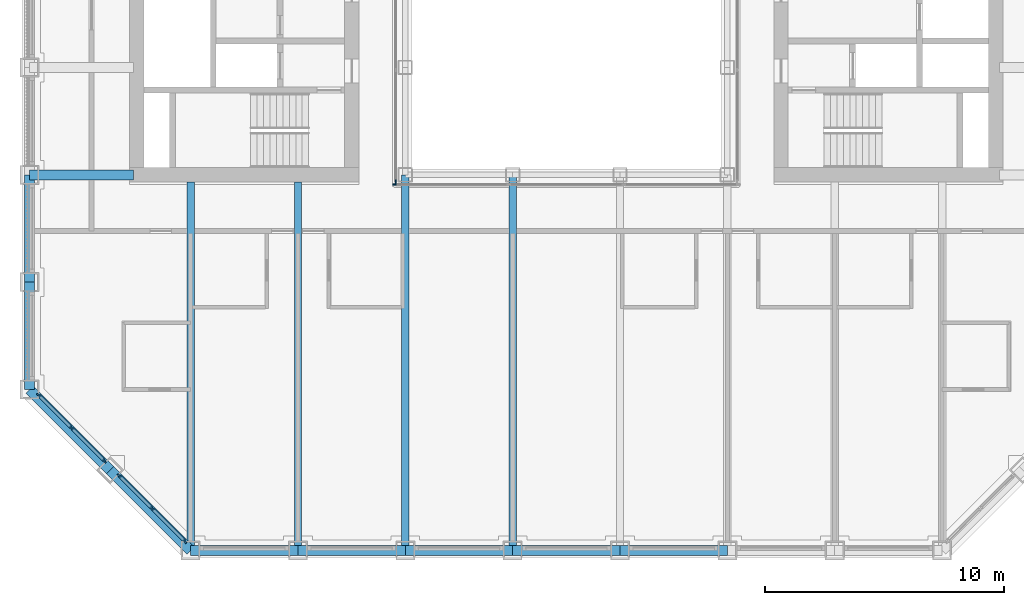
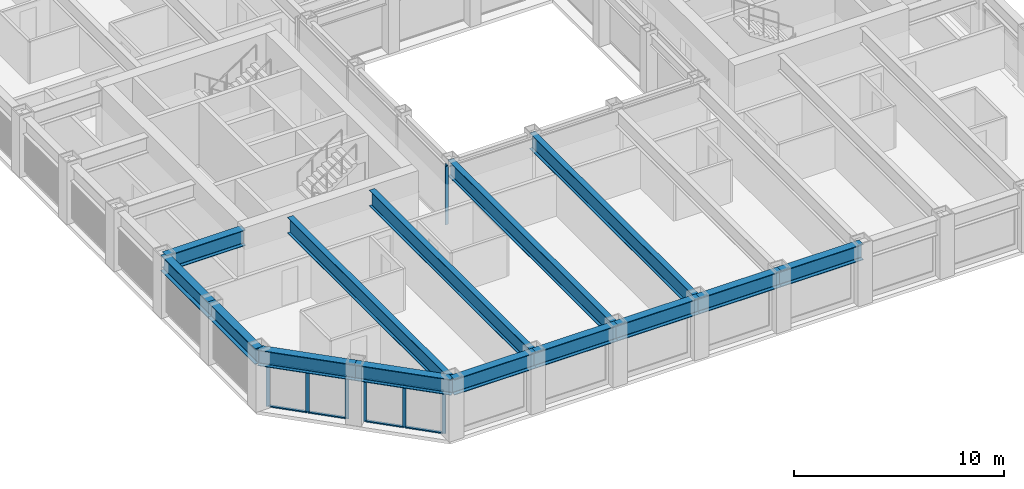
# One storey, part 2 of 17: 16 members, 14 beams, 4 elements without a shape of their own.
"""IFC4 building model written with IfcOpenShell, lengths in metres."""

import ifcopenshell
import ifcopenshell.guid

model = None  # the IFC model being written
_history = None  # IfcOwnerHistory: only IFC2X3 demands one
_inside = {}  # id of a spatial element -> (the spatial element, [elements in it])
_under = {}  # id of a project, library or spatial element -> (it, [spatial elements below it])
_declared = {}  # id of a project -> (the project, [libraries it declares])
_typed = {}  # id of a type object -> (the type object, [elements of that type])
_made_of = {}  # id of a material, layer set ... -> (it, [elements and type objects made of it])


def new_model(schema):
    """Start an empty IFC model of exactly this schema.

    Asked for "IFC4X3", IfcOpenShell would pick the latest addendum, in which some entities
    have other attributes; the version numbers below select the first issue.
    IFC2X3 requires an IfcOwnerHistory on every rooted entity: one is made here for all.
    """
    global model, _history
    if schema == "IFC4X3":
        model = ifcopenshell.file(schema_version=(4, 3, 0, 0))
    else:
        model = ifcopenshell.file(schema=schema)
    _inside.clear()
    _under.clear()
    _declared.clear()
    _typed.clear()
    _made_of.clear()
    _history = None
    if model.schema == "IFC2X3":
        org = make("IfcOrganization", Name="unknown")
        user = make(
            "IfcPersonAndOrganization",
            ThePerson=make("IfcPerson", FamilyName="unknown"),
            TheOrganization=org,
        )
        app = make(
            "IfcApplication",
            ApplicationDeveloper=org,
            Version="unknown",
            ApplicationFullName="unknown",
            ApplicationIdentifier="unknown",
        )
        _history = make(
            "IfcOwnerHistory",
            OwningUser=user,
            OwningApplication=app,
            ChangeAction="ADDED",
            CreationDate=0,
        )
    return model


def make(cls, **values):
    """One entity of the class cls with the attributes given. An attribute that is None is left unset."""
    return model.create_entity(
        cls, **{name: value for name, value in values.items() if value is not None}
    )


def rooted(cls, **values):
    """An entity with a GlobalId (a new one), such as an element, a storey or a relation."""
    return make(cls, GlobalId=ifcopenshell.guid.new(), OwnerHistory=_history, **values)


def si_unit(unit_type, name, prefix=None):
    """IfcSIUnit, for example si_unit("LENGTHUNIT", "METRE", prefix="MILLI")."""
    return make("IfcSIUnit", UnitType=unit_type, Prefix=prefix, Name=name)


def assignment(units):
    """IfcUnitAssignment: the units of a project."""
    return None if units is None else make("IfcUnitAssignment", Units=units)


def point(xyz):
    """IfcCartesianPoint."""
    return None if xyz is None else make("IfcCartesianPoint", Coordinates=xyz)


def direction(xyz):
    """IfcDirection."""
    return None if xyz is None else make("IfcDirection", DirectionRatios=xyz)


def frame(location, z_axis=None, x_axis=None):
    """IfcAxis2Placement3D, a coordinate frame: its origin and axes. An axis left out is left unset."""
    return make(
        "IfcAxis2Placement3D",
        Location=point(location),
        Axis=direction(z_axis),
        RefDirection=direction(x_axis),
    )


def frame_2d(location, x_axis=None):
    """IfcAxis2Placement2D, a coordinate frame in the plane: its origin and x axis."""
    return make(
        "IfcAxis2Placement2D", Location=point(location), RefDirection=direction(x_axis)
    )


def origin():
    """The frame at (0, 0, 0) with its axes left unset."""
    return frame((0.0, 0.0, 0.0))


def origin_2d():
    """The frame at (0, 0) in the plane with its x axis left unset."""
    return frame_2d((0.0, 0.0))


def place(relative_to, where):
    """IfcLocalPlacement: puts the frame where relative to a parent placement (None: the world)."""
    return make(
        "IfcLocalPlacement", PlacementRelTo=relative_to, RelativePlacement=where
    )


def context(
    kind, dimensions, precision=None, world=None, true_north=None, identifier=None
):
    """IfcGeometricRepresentationContext, for example the 3D "Model" context."""
    return make(
        "IfcGeometricRepresentationContext",
        ContextIdentifier=identifier,
        ContextType=kind,
        CoordinateSpaceDimension=dimensions,
        Precision=precision,
        WorldCoordinateSystem=world,
        TrueNorth=true_north,
    )


def subcontext(parent, identifier, kind, view, scale=None):
    """IfcGeometricRepresentationSubContext, for example "Body" below "Model"."""
    return make(
        "IfcGeometricRepresentationSubContext",
        ContextIdentifier=identifier,
        ContextType=kind,
        ParentContext=parent,
        TargetScale=scale,
        TargetView=view,
    )


def project(units=None, contexts=None):
    """IfcProject with its units and contexts."""
    return rooted(
        "IfcProject",
        Name="project",
        RepresentationContexts=contexts,
        UnitsInContext=assignment(units),
    )


def spatial(cls, under=None, at=None, **own):
    """A site, building, storey or space (cls), placed at a placement, below another one or the project."""
    s = rooted(cls, ObjectPlacement=at, **own)
    if under is not None:
        _under.setdefault(under.id(), (under, []))[1].append(s)
    return s


def profile(cls, at=None, kind="AREA", **sizes):
    """A parametric profile (cls). Its sizes go by their IFC names, for example OverallWidth=200.0."""
    return make(cls, ProfileType=kind, Position=at, **sizes)


def rectangle(**sizes):
    """IfcRectangleProfileDef."""
    return profile("IfcRectangleProfileDef", **sizes)


def i_section(**sizes):
    """IfcIShapeProfileDef."""
    return profile("IfcIShapeProfileDef", **sizes)


def extrude(swept, where, along, depth):
    """IfcExtrudedAreaSolid: the profile swept, set in the frame where, extruded along a direction by depth."""
    return make(
        "IfcExtrudedAreaSolid",
        SweptArea=swept,
        Position=where,
        ExtrudedDirection=direction(along),
        Depth=depth,
    )


def shape(context_of_items, identifier, shape_type, items):
    """IfcShapeRepresentation: the items that make up one representation, for example the "Body"."""
    return make(
        "IfcShapeRepresentation",
        ContextOfItems=context_of_items,
        RepresentationIdentifier=identifier,
        RepresentationType=shape_type,
        Items=items,
    )


def material(Name=None, Category=None):
    """IfcMaterial."""
    return make("IfcMaterial", Name=Name, Category=Category)


def material_profile(
    of_material, cross_section, Name=None, Category=None, Priority=None
):
    """IfcMaterialProfile: a cross section and its material."""
    return make(
        "IfcMaterialProfile",
        Name=Name,
        Material=of_material,
        Profile=cross_section,
        Priority=Priority,
        Category=Category,
    )


def profile_set(profiles, Name=None, composite=None):
    """IfcMaterialProfileSet."""
    return make(
        "IfcMaterialProfileSet",
        Name=Name,
        MaterialProfiles=profiles,
        CompositeProfile=composite,
    )


def made_of(thing, what):
    """Note that an element or type object is made of a material, layer set ...; save() writes the relation."""
    if what is not None:
        _made_of.setdefault(what.id(), (what, []))[1].append(thing)
    return thing


def type_object(cls, material=None, **own):
    """A type object (cls), such as IfcWallType, which elements share."""
    return made_of(rooted(cls, **own), material)


def element(
    cls,
    number,
    at=None,
    inside=None,
    cuts=None,
    type_object=None,
    material=None,
    context=None,
    identifier="Body",
    shape_type=None,
    held_by="IfcProductDefinitionShape",
    body=None,
    shapes=None,
    **own,
):
    """One element of the class cls, such as IfcWall. Its Tag is "e" and its number.

    at: its placement. inside: the storey or other place that contains it. cuts: it is an
    opening in that element (IfcRelVoidsElement). A single representation is given by context,
    identifier, shape_type and body (its items); several are given by shapes. held_by: the class
    of the entity that holds the representations. save() writes the other relations.
    """
    e = rooted(cls, Tag="e%d" % number, ObjectPlacement=at, **own)
    if body is not None:
        shapes = [shape(context, identifier, shape_type, body)]
    if shapes is not None:
        e.Representation = make(held_by, Representations=shapes)
    if inside is not None:
        _inside.setdefault(inside.id(), (inside, []))[1].append(e)
    if cuts is not None:
        rooted(
            "IfcRelVoidsElement", RelatingBuildingElement=cuts, RelatedOpeningElement=e
        )
    if type_object is not None:
        _typed.setdefault(type_object.id(), (type_object, []))[1].append(e)
    return made_of(e, material)


def aggregate(whole, parts):
    """IfcRelAggregates: a whole, such as a stair, and the parts it consists of."""
    return rooted("IfcRelAggregates", RelatingObject=whole, RelatedObjects=parts)


def save(model, path):
    """Write the relations noted so far, then the file.

    IfcRelAggregates (storeys below a building ...), IfcRelContainedInSpatialStructure (elements
    in a storey), IfcRelDefinesByType, IfcRelAssociatesMaterial and IfcRelDeclares: one each for
    every whole, place, type object, material and project.
    """
    for whole, parts in _under.values():
        aggregate(whole, parts)
    for where, things in _inside.values():
        rooted(
            "IfcRelContainedInSpatialStructure",
            RelatedElements=things,
            RelatingStructure=where,
        )
    for kind, things in _typed.values():
        rooted("IfcRelDefinesByType", RelatedObjects=things, RelatingType=kind)
    for what, things in _made_of.values():
        rooted("IfcRelAssociatesMaterial", RelatedObjects=things, RelatingMaterial=what)
    for by, libraries in _declared.values():
        rooted("IfcRelDeclares", RelatingContext=by, RelatedDefinitions=libraries)
    model.write(path)


model = new_model("IFC4")

# Units and contexts
model_context = context("Model", 3, precision=1e-05, world=origin(), true_north=direction((0.0, 1.0)))
body_context = subcontext(model_context, "Body", "Model", "MODEL_VIEW")
ifc_project = project(units=[si_unit("LENGTHUNIT", "METRE"), si_unit("AREAUNIT", "SQUARE_METRE"), si_unit("VOLUMEUNIT", "CUBIC_METRE"), si_unit("PLANEANGLEUNIT", "RADIAN"), si_unit("MASSUNIT", "GRAM", prefix="KILO")], contexts=[model_context])

# Site, building, storey
site_placement = place(None, origin())
site = spatial("IfcSite", under=ifc_project, at=site_placement, CompositionType="ELEMENT")
building_placement = place(site_placement, origin())
building = spatial("IfcBuilding", under=site, at=building_placement, Name="Msasa Ring Tower", CompositionType="ELEMENT")
storey_placement = place(building_placement, frame((0.0, 0.0, 136.39990234375)))
storey = spatial("IfcBuildingStorey", under=building, at=storey_placement, Name="L35", CompositionType="ELEMENT", Elevation=136.39990234375)

# Curtain wall, members
ifc_material_1 = material(Name="Aluminium curtain wall with clear glass", Category="aluminium")
curtain_wall_type_1 = type_object("IfcCurtainWallType", Name="CW-C CHAMFER CORNER CURTAIN WALL", PredefinedType="NOTDEFINED", material=ifc_material_1)
curtain_wall_1_placement = place(storey_placement, origin())
curtain_wall_1 = element("IfcCurtainWall", 1, at=curtain_wall_1_placement, inside=storey, type_object=curtain_wall_type_1, Name="Chamfer corner curtain wall SW L35", PredefinedType="NOTDEFINED")
ifc_material_2 = material(Name="Aluminium mullion", Category="aluminium")
ifc_material_profile_1 = material_profile(ifc_material_2, rectangle(XDim=0.06494140625, YDim=0.179931640625, at=origin_2d()), Name="AL 65x180")
ifc_profile_set_1 = profile_set([ifc_material_profile_1], Name="Aluminium mullion")
member_type_1 = type_object("IfcMemberType", Name="CW-C MULLION 65x180", PredefinedType="MULLION", material=ifc_profile_set_1)
member_1_placement = place(storey_placement, frame((-22.119873046875, -15.98876953125, 0.0), z_axis=(0.0, 0.0, 1.0), x_axis=(0.707106781187, 0.707106781187, 0.0)))
member_1 = element("IfcMember", 2, at=member_1_placement, type_object=member_type_1, Name="CW-C mullion 1", PredefinedType="MULLION", context=body_context, shape_type="SweptSolid", body=[
    extrude(rectangle(XDim=0.06494140625, YDim=0.179931640625, at=origin_2d()), origin(), (0.0, 0.0, 1.0), 2.47900390625),
])
member_2_placement = place(storey_placement, frame((-20.74169921875, -17.36669921875, 0.0), z_axis=(0.0, 0.0, 1.0), x_axis=(0.707106781187, 0.707106781187, 0.0)))
member_2 = element("IfcMember", 3, at=member_2_placement, type_object=member_type_1, Name="CW-C mullion 2", PredefinedType="MULLION", context=body_context, shape_type="SweptSolid", body=[
    extrude(rectangle(XDim=0.06494140625, YDim=0.179931640625, at=origin_2d()), origin(), (0.0, 0.0, 1.0), 2.47900390625),
])
member_3_placement = place(storey_placement, frame((-19.36376953125, -18.744873046875, 0.0), z_axis=(0.0, 0.0, 1.0), x_axis=(0.707106781187, 0.707106781187, 0.0)))
member_3 = element("IfcMember", 4, at=member_3_placement, type_object=member_type_1, Name="CW-C mullion 3", PredefinedType="MULLION", context=body_context, shape_type="SweptSolid", body=[
    extrude(rectangle(XDim=0.06494140625, YDim=0.179931640625, at=origin_2d()), origin(), (0.0, 0.0, 1.0), 2.47900390625),
])

curtain_wall_2_placement = place(storey_placement, origin())
curtain_wall_2 = element("IfcCurtainWall", 5, at=curtain_wall_2_placement, inside=storey, type_object=curtain_wall_type_1, Name="Chamfer corner curtain wall SW L35", PredefinedType="NOTDEFINED")
member_4_placement = place(storey_placement, frame((-18.744873046875, -19.36376953125, 0.0), z_axis=(0.0, 0.0, 1.0), x_axis=(0.707106781187, 0.707106781187, 0.0)))
member_4 = element("IfcMember", 6, at=member_4_placement, type_object=member_type_1, Name="CW-C mullion 1", PredefinedType="MULLION", context=body_context, shape_type="SweptSolid", body=[
    extrude(rectangle(XDim=0.06494140625, YDim=0.179931640625, at=origin_2d()), origin(), (0.0, 0.0, 1.0), 2.47900390625),
])
member_5_placement = place(storey_placement, frame((-17.36669921875, -20.74169921875, 0.0), z_axis=(0.0, 0.0, 1.0), x_axis=(0.707106781187, 0.707106781187, 0.0)))
member_5 = element("IfcMember", 7, at=member_5_placement, type_object=member_type_1, Name="CW-C mullion 2", PredefinedType="MULLION", context=body_context, shape_type="SweptSolid", body=[
    extrude(rectangle(XDim=0.06494140625, YDim=0.179931640625, at=origin_2d()), origin(), (0.0, 0.0, 1.0), 2.47900390625),
])
member_6_placement = place(storey_placement, frame((-15.98876953125, -22.119873046875, 0.0), z_axis=(0.0, 0.0, 1.0), x_axis=(0.707106781187, 0.707106781187, 0.0)))
member_6 = element("IfcMember", 8, at=member_6_placement, type_object=member_type_1, Name="CW-C mullion 3", PredefinedType="MULLION", context=body_context, shape_type="SweptSolid", body=[
    extrude(rectangle(XDim=0.06494140625, YDim=0.179931640625, at=origin_2d()), origin(), (0.0, 0.0, 1.0), 2.47900390625),
])

# Member
ifc_material_3 = material(Name="Aluminium transom", Category="aluminium")
ifc_material_profile_2 = material_profile(ifc_material_3, rectangle(XDim=0.139892578125, YDim=0.06494140625, at=origin_2d()), Name="AL 65x140")
ifc_profile_set_2 = profile_set([ifc_material_profile_2], Name="Aluminium transom")
member_type_2 = type_object("IfcMemberType", Name="CW-C TRANSOM 65x140", PredefinedType="USERDEFINED", material=ifc_profile_set_2)
member_7_placement = place(storey_placement, frame((-22.096923828125, -16.01171875, 0.03271484375), z_axis=(0.707106781187, -0.707106781187, 0.0), x_axis=(0.707106781187, 0.707106781187, 0.0)))
member_7 = element("IfcMember", 9, at=member_7_placement, type_object=member_type_2, Name="CW-C transom 1.1", ObjectType="TRANSOM", PredefinedType="USERDEFINED", context=body_context, shape_type="SweptSolid", body=[
    extrude(rectangle(XDim=0.139892578125, YDim=0.06494140625, at=origin_2d()), origin(), (0.0, 0.0, 1.0), 1.8837890625),
])

member_8_placement = place(storey_placement, frame((-22.096923828125, -16.01171875, 2.446533203125), z_axis=(0.707106781187, -0.707106781187, 0.0), x_axis=(0.707106781187, 0.707106781187, 0.0)))
member_8 = element("IfcMember", 10, at=member_8_placement, type_object=member_type_2, Name="CW-C transom 1.2", ObjectType="TRANSOM", PredefinedType="USERDEFINED", context=body_context, shape_type="SweptSolid", body=[
    extrude(rectangle(XDim=0.139892578125, YDim=0.06494140625, at=origin_2d()), origin(), (0.0, 0.0, 1.0), 1.8837890625),
])

member_9_placement = place(storey_placement, frame((-20.71875, -17.389892578125, 0.03271484375), z_axis=(0.707106781187, -0.707106781187, 0.0), x_axis=(0.707106781187, 0.707106781187, 0.0)))
member_9 = element("IfcMember", 11, at=member_9_placement, type_object=member_type_2, Name="CW-C transom 2.1", ObjectType="TRANSOM", PredefinedType="USERDEFINED", context=body_context, shape_type="SweptSolid", body=[
    extrude(rectangle(XDim=0.139892578125, YDim=0.06494140625, at=origin_2d()), origin(), (0.0, 0.0, 1.0), 1.8837890625),
])

member_10_placement = place(storey_placement, frame((-20.71875, -17.389892578125, 2.446533203125), z_axis=(0.707106781187, -0.707106781187, 0.0), x_axis=(0.707106781187, 0.707106781187, 0.0)))
member_10 = element("IfcMember", 12, at=member_10_placement, type_object=member_type_2, Name="CW-C transom 2.2", ObjectType="TRANSOM", PredefinedType="USERDEFINED", context=body_context, shape_type="SweptSolid", body=[
    extrude(rectangle(XDim=0.139892578125, YDim=0.06494140625, at=origin_2d()), origin(), (0.0, 0.0, 1.0), 1.8837890625),
])

aggregate(curtain_wall_1, [member_1, member_2, member_3, member_7, member_8, member_9, member_10])

member_11_placement = place(storey_placement, frame((-18.721923828125, -19.38671875, 0.03271484375), z_axis=(0.707106781187, -0.707106781187, 0.0), x_axis=(0.707106781187, 0.707106781187, 0.0)))
member_11 = element("IfcMember", 13, at=member_11_placement, type_object=member_type_2, Name="CW-C transom 1.1", ObjectType="TRANSOM", PredefinedType="USERDEFINED", context=body_context, shape_type="SweptSolid", body=[
    extrude(rectangle(XDim=0.139892578125, YDim=0.06494140625, at=origin_2d()), origin(), (0.0, 0.0, 1.0), 1.8837890625),
])

member_12_placement = place(storey_placement, frame((-18.721923828125, -19.38671875, 2.446533203125), z_axis=(0.707106781187, -0.707106781187, 0.0), x_axis=(0.707106781187, 0.707106781187, 0.0)))
member_12 = element("IfcMember", 14, at=member_12_placement, type_object=member_type_2, Name="CW-C transom 1.2", ObjectType="TRANSOM", PredefinedType="USERDEFINED", context=body_context, shape_type="SweptSolid", body=[
    extrude(rectangle(XDim=0.139892578125, YDim=0.06494140625, at=origin_2d()), origin(), (0.0, 0.0, 1.0), 1.8837890625),
])

member_13_placement = place(storey_placement, frame((-17.34375, -20.764892578125, 0.03271484375), z_axis=(0.707106781187, -0.707106781187, 0.0), x_axis=(0.707106781187, 0.707106781187, 0.0)))
member_13 = element("IfcMember", 15, at=member_13_placement, type_object=member_type_2, Name="CW-C transom 2.1", ObjectType="TRANSOM", PredefinedType="USERDEFINED", context=body_context, shape_type="SweptSolid", body=[
    extrude(rectangle(XDim=0.139892578125, YDim=0.06494140625, at=origin_2d()), origin(), (0.0, 0.0, 1.0), 1.8837890625),
])

member_14_placement = place(storey_placement, frame((-17.34375, -20.764892578125, 2.446533203125), z_axis=(0.707106781187, -0.707106781187, 0.0), x_axis=(0.707106781187, 0.707106781187, 0.0)))
member_14 = element("IfcMember", 16, at=member_14_placement, type_object=member_type_2, Name="CW-C transom 2.2", ObjectType="TRANSOM", PredefinedType="USERDEFINED", context=body_context, shape_type="SweptSolid", body=[
    extrude(rectangle(XDim=0.139892578125, YDim=0.06494140625, at=origin_2d()), origin(), (0.0, 0.0, 1.0), 1.8837890625),
])

aggregate(curtain_wall_2, [member_4, member_5, member_6, member_11, member_12, member_13, member_14])

# Curtain wall, member
ifc_material_4 = material(Name="Aluminium curtain wall with clear glass", Category="aluminium")
curtain_wall_type_2 = type_object("IfcCurtainWallType", Name="CW-W LIGHT WELL CURTAIN WALL", PredefinedType="NOTDEFINED", material=ifc_material_4)
curtain_wall_3_placement = place(storey_placement, origin())
curtain_wall_3 = element("IfcCurtainWall", 17, at=curtain_wall_3_placement, inside=storey, type_object=curtain_wall_type_2, Name="Light well curtain wall S L35", PredefinedType="NOTDEFINED")
ifc_material_5 = material(Name="Aluminium mullion", Category="aluminium")
ifc_material_profile_3 = material_profile(ifc_material_5, rectangle(XDim=0.06005859375, YDim=0.159912109375, at=origin_2d()), Name="AL 60x160")
ifc_profile_set_3 = profile_set([ifc_material_profile_3], Name="Aluminium mullion")
member_type_3 = type_object("IfcMemberType", Name="CW-W MULLION 60x160", PredefinedType="MULLION", material=ifc_profile_set_3)
member_15_placement = place(storey_placement, frame((-7.199951171875, -7.14990234375, 0.0), z_axis=(0.0, 0.0, 1.0), x_axis=(0.0, 1.0, 0.0)))
member_15 = element("IfcMember", 18, at=member_15_placement, type_object=member_type_3, Name="CW-W mullion 1", PredefinedType="MULLION", context=body_context, shape_type="SweptSolid", body=[
    extrude(rectangle(XDim=0.06005859375, YDim=0.159912109375, at=origin_2d()), origin(), (0.0, 0.0, 1.0), 3.400146484375),
])
aggregate(curtain_wall_3, [member_15])

curtain_wall_4_placement = place(storey_placement, origin())
curtain_wall_4 = element("IfcCurtainWall", 19, at=curtain_wall_4_placement, inside=storey, type_object=curtain_wall_type_2, Name="Light well curtain wall W L35", PredefinedType="NOTDEFINED")
member_16_placement = place(storey_placement, frame((-7.14990234375, -7.0400390625, 0.0), z_axis=(0.0, 0.0, 1.0), x_axis=(-1.0, 0.0, 0.0)))
member_16 = element("IfcMember", 20, at=member_16_placement, type_object=member_type_3, Name="CW-W mullion 1", PredefinedType="MULLION", context=body_context, shape_type="SweptSolid", body=[
    extrude(rectangle(XDim=0.06005859375, YDim=0.159912109375, at=origin_2d()), origin(), (0.0, 0.0, 1.0), 3.400146484375),
])
aggregate(curtain_wall_4, [member_16])

# Beams
ifc_material_6 = material(Name="Steel S355", Category="steel")
ifc_material_profile_4 = material_profile(ifc_material_6, i_section(OverallWidth=0.3076171875, OverallDepth=0.926513671875, WebThickness=0.01953125, FlangeThickness=0.031982421875, FilletRadius=0.01904296875, at=origin_2d()), Name="UB 914x305x289")
ifc_profile_set_4 = profile_set([ifc_material_profile_4], Name="Steel S355")
beam_type_1 = type_object("IfcBeamType", Name="FB3 UB 914x305x289", PredefinedType="BEAM", material=ifc_profile_set_4)
for number, where, z_axis, x_axis, name in (
    (21, (-15.75, -22.5, 2.936767578125), (0.0, 1.0, 0.0), (-1.0, 0.0, 0.0), "Floor beam S-15.75 under L36"),
    (22, (-11.25, -22.5, 2.936767578125), (0.0, 1.0, 0.0), (-1.0, 0.0, 0.0), "Floor beam S-11.25 under L36"),
):
    element("IfcBeam", number, at=place(storey_placement, frame(where, z_axis=z_axis, x_axis=x_axis)), inside=storey, type_object=beam_type_1, Name=name, PredefinedType="BEAM", context=body_context, shape_type="SweptSolid", body=[
        extrude(i_section(OverallWidth=0.3076171875, OverallDepth=0.926513671875, WebThickness=0.01953125, FlangeThickness=0.031982421875, FilletRadius=0.01904296875, at=origin_2d()), origin(), (0.0, 0.0, 1.0), 15.449951171875),
    ])
for number, where, z_axis, x_axis, name in (
    (23, (-6.75, -22.5, 2.936767578125), (0.0, 1.0, 0.0), (-1.0, 0.0, 0.0), "Floor beam S-6.75 under L36"),
    (24, (-2.25, -22.5, 2.936767578125), (0.0, 1.0, 0.0), (-1.0, 0.0, 0.0), "Floor beam S-2.25 under L36"),
):
    element("IfcBeam", number, at=place(storey_placement, frame(where, z_axis=z_axis, x_axis=x_axis)), inside=storey, type_object=beam_type_1, Name=name, PredefinedType="BEAM", context=body_context, shape_type="SweptSolid", body=[
        extrude(i_section(OverallWidth=0.3076171875, OverallDepth=0.926513671875, WebThickness=0.01953125, FlangeThickness=0.031982421875, FilletRadius=0.01904296875, at=origin_2d()), origin(), (0.0, 0.0, 1.0), 15.75),
    ])
ifc_material_7 = material(Name="Steel S355", Category="steel")
ifc_material_profile_5 = material_profile(ifc_material_7, i_section(OverallWidth=0.42041015625, OverallDepth=0.9208984375, WebThickness=0.021484375, FlangeThickness=0.03662109375, FilletRadius=0.024169921875, at=origin_2d()), Name="UB 914x419x388")
ifc_profile_set_5 = profile_set([ifc_material_profile_5], Name="Steel S355")
beam_type_2 = type_object("IfcBeamType", Name="GB1 UB 914x419x388", PredefinedType="BEAM", material=ifc_profile_set_5)
beam_placement = place(storey_placement, frame((-18.14990234375, -6.75, 2.939697265625), z_axis=(-1.0, 0.0, 0.0), x_axis=(0.0, -1.0, 0.0)))
element("IfcBeam", 25, at=beam_placement, inside=storey, type_object=beam_type_2, Name="Girder W -6.75 under L36", PredefinedType="BEAM", context=body_context, shape_type="SweptSolid", body=[
    extrude(i_section(OverallWidth=0.42041015625, OverallDepth=0.9208984375, WebThickness=0.021484375, FlangeThickness=0.03662109375, FilletRadius=0.024169921875, at=origin_2d()), origin(), (0.0, 0.0, 1.0), 4.35009765625),
])
ifc_material_8 = material(Name="Steel S355", Category="steel")
ifc_material_profile_6 = material_profile(ifc_material_8, i_section(OverallWidth=0.42041015625, OverallDepth=0.9208984375, WebThickness=0.021484375, FlangeThickness=0.03662109375, FilletRadius=0.024169921875, at=origin_2d()), Name="UB 914x419x388")
ifc_profile_set_6 = profile_set([ifc_material_profile_6], Name="Steel S355")
beam_type_3 = type_object("IfcBeamType", Name="SB1 UB 914x419x388", PredefinedType="SPANDREL", material=ifc_profile_set_6)
for number, where, z_axis, x_axis, name in (
    (26, (-22.5, -6.75, 2.939697265625), (0.0, -1.0, 0.0), (1.0, 0.0, 0.0), "Spandrel W-6.75 to W-11.25 under L36"),
    (27, (-22.5, -11.25, 2.939697265625), (0.0, -1.0, 0.0), (1.0, 0.0, 0.0), "Spandrel W-11.25 to W-15.75 under L36"),
):
    element("IfcBeam", number, at=place(storey_placement, frame(where, z_axis=z_axis, x_axis=x_axis)), inside=storey, type_object=beam_type_3, Name=name, PredefinedType="SPANDREL", context=body_context, shape_type="SweptSolid", body=[
        extrude(i_section(OverallWidth=0.42041015625, OverallDepth=0.9208984375, WebThickness=0.021484375, FlangeThickness=0.03662109375, FilletRadius=0.024169921875, at=origin_2d()), origin(), (0.0, 0.0, 1.0), 4.5),
    ])
for number, where, z_axis, x_axis, name in (
    (28, (-22.5, -15.75, 2.939697265625), (0.707106781187, -0.707106781187, 0.0), (0.707106781187, 0.707106781187, 0.0), "Spandrel W-15.75 to SW under L36"),
    (29, (-19.125, -19.125, 2.939697265625), (0.707106781187, -0.707106781187, 0.0), (0.707106781187, 0.707106781187, 0.0), "Spandrel SW to S-15.75 under L36"),
):
    element("IfcBeam", number, at=place(storey_placement, frame(where, z_axis=z_axis, x_axis=x_axis)), inside=storey, type_object=beam_type_3, Name=name, PredefinedType="SPANDREL", context=body_context, shape_type="SweptSolid", body=[
        extrude(i_section(OverallWidth=0.42041015625, OverallDepth=0.9208984375, WebThickness=0.021484375, FlangeThickness=0.03662109375, FilletRadius=0.024169921875, at=origin_2d()), origin(), (0.0, 0.0, 1.0), 4.77294921875),
    ])
for number, where, z_axis, x_axis, name in (
    (30, (-15.75, -22.5, 2.939697265625), (1.0, 0.0, 0.0), (0.0, 1.0, 0.0), "Spandrel S-15.75 to S-11.25 under L36"),
    (31, (-11.25, -22.5, 2.939697265625), (1.0, 0.0, 0.0), (0.0, 1.0, 0.0), "Spandrel S-11.25 to S-6.75 under L36"),
    (32, (-6.75, -22.5, 2.939697265625), (1.0, 0.0, 0.0), (0.0, 1.0, 0.0), "Spandrel S-6.75 to S-2.25 under L36"),
    (33, (-2.25, -22.5, 2.939697265625), (1.0, 0.0, 0.0), (0.0, 1.0, 0.0), "Spandrel S-2.25 to S+2.25 under L36"),
    (34, (2.25, -22.5, 2.939697265625), (1.0, 0.0, 0.0), (0.0, 1.0, 0.0), "Spandrel S+2.25 to S+6.75 under L36"),
):
    element("IfcBeam", number, at=place(storey_placement, frame(where, z_axis=z_axis, x_axis=x_axis)), inside=storey, type_object=beam_type_3, Name=name, PredefinedType="SPANDREL", context=body_context, shape_type="SweptSolid", body=[
        extrude(i_section(OverallWidth=0.42041015625, OverallDepth=0.9208984375, WebThickness=0.021484375, FlangeThickness=0.03662109375, FilletRadius=0.024169921875, at=origin_2d()), origin(), (0.0, 0.0, 1.0), 4.5),
    ])

save(model, "model.ifc")
